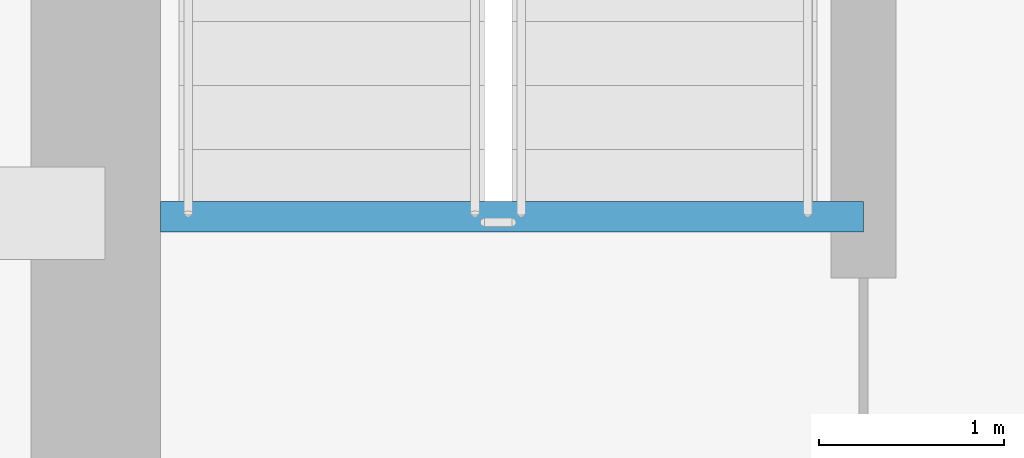
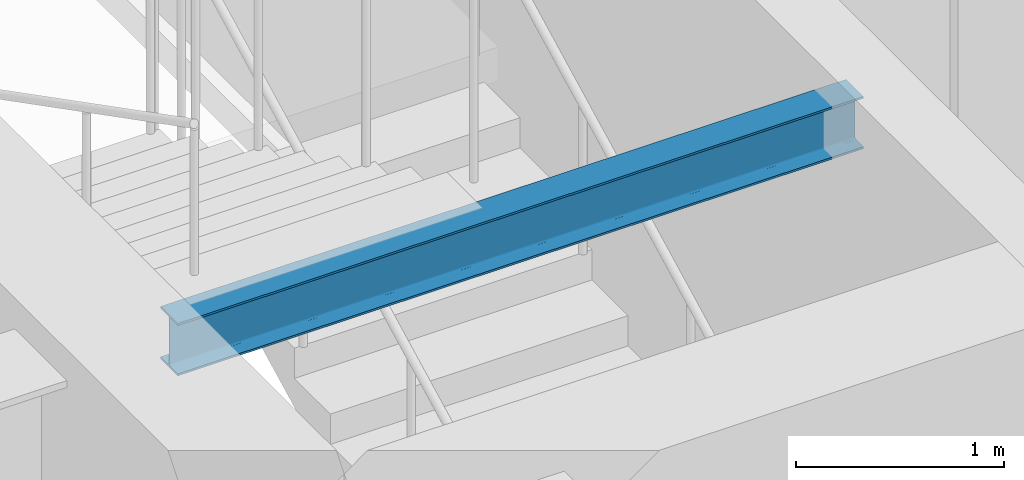
# One storey, part 20 of 30: 1 beam.
"""IFC4 building model written with IfcOpenShell, lengths in metres."""

from ifc_helpers import new_model, si_unit, direction, frame, origin, origin_2d, place, context, subcontext, project, spatial, i_section, extrude, source, transform, mapped, material, material_profile, profile_set, type_object, type_shapes, element, save


model = new_model("IFC4")

# Units and contexts
model_context = context("Model", 3, precision=1e-05, world=origin(), true_north=direction((0.0, 1.0)))
body_context = subcontext(model_context, "Body", "Model", "MODEL_VIEW")
ifc_project = project(units=[si_unit("LENGTHUNIT", "METRE"), si_unit("AREAUNIT", "SQUARE_METRE"), si_unit("VOLUMEUNIT", "CUBIC_METRE"), si_unit("PLANEANGLEUNIT", "RADIAN"), si_unit("MASSUNIT", "GRAM", prefix="KILO")], contexts=[model_context])

# Site, building, storey
site_placement = place(None, origin())
site = spatial("IfcSite", under=ifc_project, at=site_placement, CompositionType="ELEMENT")
building_placement = place(site_placement, origin())
building = spatial("IfcBuilding", under=site, at=building_placement, Name="Tolvann Quenvar Hotel", CompositionType="ELEMENT")
storey_placement = place(building_placement, frame((0.0, 0.0, 100.89990234375)))
storey = spatial("IfcBuildingStorey", under=building, at=storey_placement, Name="L25", CompositionType="ELEMENT", Elevation=100.89990234375)

# Beam
ifc_material = material(Name="Steel Grade 350", Category="steel")
ifc_material_profile = material_profile(ifc_material, i_section(OverallWidth=0.166015625, OverallDepth=0.306884765625, WebThickness=0.006591796875, FlangeThickness=0.01171875, FilletRadius=0.011474609375, at=origin_2d()), Name="310UB46")
ifc_profile_set = profile_set([ifc_material_profile], Name="Steel Grade 350")
beam_type = type_object("IfcBeamType", Name="BM_JOIST_310UB46", PredefinedType="JOIST", material=ifc_profile_set)
shared_shape = source(origin(), body_context, "Body", "SweptSolid", [
    extrude(i_section(OverallWidth=0.166015625, OverallDepth=0.306884765625, WebThickness=0.006591796875, FlangeThickness=0.01171875, FilletRadius=0.011474609375, at=origin_2d()), origin(), (0.0, 0.0, 1.0), 3.800048828125),
])
type_shapes(beam_type, [shared_shape])
beam_placement = place(storey_placement, frame((10.5, 33.97998046875, 3.216552734375), z_axis=(1.0, 0.0, 0.0), x_axis=(0.0, 1.0, 0.0)))
element("IfcBeam", 1, at=beam_placement, inside=storey, type_object=beam_type, Name="BM-HDR-STC1-L26", PredefinedType="JOIST", context=body_context, shape_type="MappedRepresentation", body=[
    mapped(shared_shape, transform((0.0, 0.0, 0.0), x_axis=(1.0, 0.0, 0.0), y_axis=(0.0, 1.0, 0.0), z_axis=(0.0, 0.0, 1.0), scale=1.0)),
])

save(model, "model.ifc")
